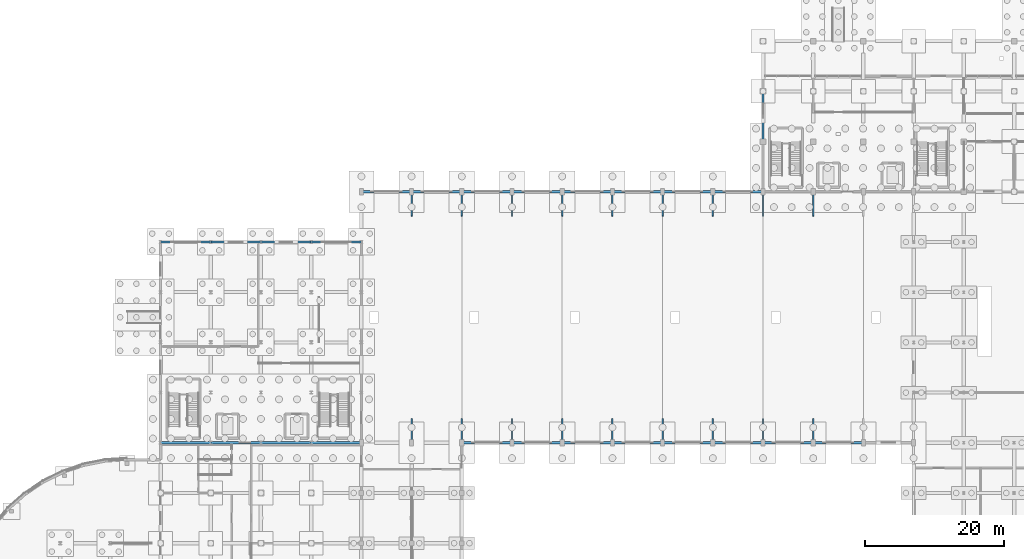
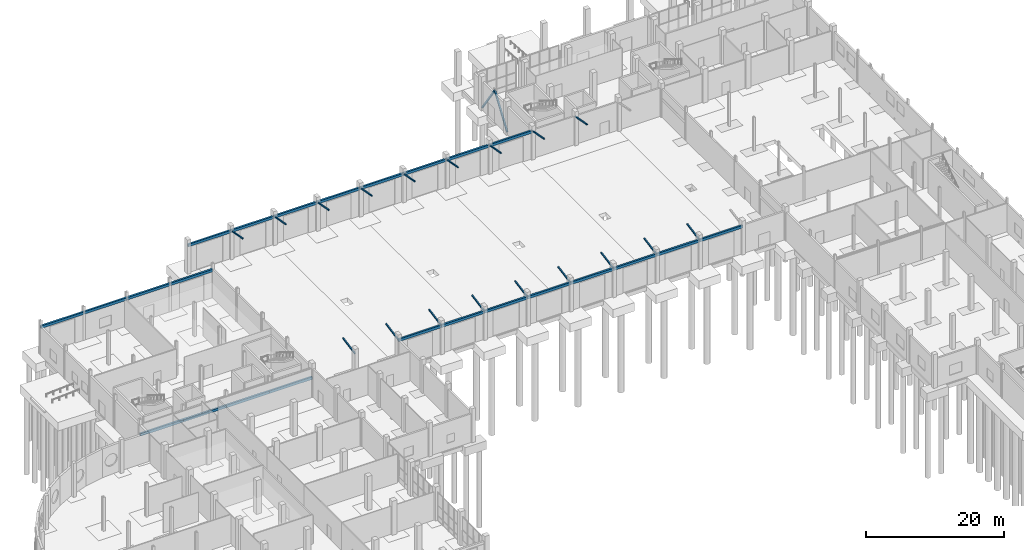
# One storey, part 17 of 45: 24 beams, 20 members.
"""IFC4 building model written with IfcOpenShell, lengths in metres."""

from ifc_helpers import new_model, si_unit, direction, frame, origin, origin_2d, place, context, subcontext, project, spatial, rectangle, hollow_rectangle, extrude, material, material_profile, profile_set, type_object, element, save


model = new_model("IFC4")

# Units and contexts
model_context = context("Model", 3, precision=1e-05, world=origin(), true_north=direction((0.0, 1.0)))
body_context = subcontext(model_context, "Body", "Model", "MODEL_VIEW")
ifc_project = project(units=[si_unit("LENGTHUNIT", "METRE"), si_unit("AREAUNIT", "SQUARE_METRE"), si_unit("VOLUMEUNIT", "CUBIC_METRE"), si_unit("PLANEANGLEUNIT", "RADIAN"), si_unit("MASSUNIT", "GRAM", prefix="KILO")], contexts=[model_context])

# Site, building, storey
site_placement = place(None, origin())
site = spatial("IfcSite", under=ifc_project, at=site_placement, CompositionType="ELEMENT")
building_placement = place(site_placement, origin())
building = spatial("IfcBuilding", under=site, at=building_placement, Name="Yarey Park Central Fire Station", CompositionType="ELEMENT")
storey_placement = place(building_placement, origin())
storey = spatial("IfcBuildingStorey", under=building, at=storey_placement, Name="L01", CompositionType="ELEMENT", Elevation=0.0)

# Members
ifc_material_1 = material(Name="Steel ASTM A500 Gr. C", Category="steel")
ifc_material_profile_1 = material_profile(ifc_material_1, hollow_rectangle(XDim=0.199951171875, YDim=0.199951171875, WallThickness=0.010009765625, at=origin_2d()), Name="HSS 200x200x10")
ifc_profile_set_1 = profile_set([ifc_material_profile_1], Name="Steel ASTM A500 Gr. C")
member_type_1 = type_object("IfcMemberType", Name="STR_CBF_HSS200I", PredefinedType="BRACE", material=ifc_profile_set_1)
for number, where, z_axis, x_axis, name in (
    (1, (64.800048828125, 57.60009765625, 4.89990234375), (0.0, 0.983181348138, 0.18263197057), (-1.0, 0.0, 0.0), "EAVE_STRUT_S_01"),
    (2, (64.800048828125, 93.60009765625, 4.89990234375), (0.0, -0.983181348138, 0.18263197057), (1.0, 0.0, 0.0), "EAVE_STRUT_N_01"),
    (3, (72.0, 57.60009765625, 4.89990234375), (0.0, 0.983181348138, 0.18263197057), (-1.0, 0.0, 0.0), "EAVE_STRUT_S_02"),
    (4, (72.0, 93.60009765625, 4.89990234375), (0.0, -0.983181348138, 0.18263197057), (1.0, 0.0, 0.0), "EAVE_STRUT_N_02"),
    (5, (79.199951171875, 57.60009765625, 4.89990234375), (0.0, 0.983181348138, 0.18263197057), (-1.0, 0.0, 0.0), "EAVE_STRUT_S_03"),
    (6, (79.199951171875, 93.60009765625, 4.89990234375), (0.0, -0.983181348138, 0.18263197057), (1.0, 0.0, 0.0), "EAVE_STRUT_N_03"),
    (7, (86.39990234375, 57.60009765625, 4.89990234375), (0.0, 0.983181348138, 0.18263197057), (-1.0, 0.0, 0.0), "EAVE_STRUT_S_04"),
    (8, (86.39990234375, 93.60009765625, 4.89990234375), (0.0, -0.983181348138, 0.18263197057), (1.0, 0.0, 0.0), "EAVE_STRUT_N_04"),
    (9, (93.60009765625, 57.60009765625, 4.89990234375), (0.0, 0.983181348138, 0.18263197057), (-1.0, 0.0, 0.0), "EAVE_STRUT_S_05"),
    (10, (93.60009765625, 93.60009765625, 4.89990234375), (0.0, -0.983181348138, 0.18263197057), (1.0, 0.0, 0.0), "EAVE_STRUT_N_05"),
    (11, (100.800048828125, 57.60009765625, 4.89990234375), (0.0, 0.983181348138, 0.18263197057), (-1.0, 0.0, 0.0), "EAVE_STRUT_S_06"),
    (12, (100.800048828125, 93.60009765625, 4.89990234375), (0.0, -0.983181348138, 0.18263197057), (1.0, 0.0, 0.0), "EAVE_STRUT_N_06"),
    (13, (108.0, 57.60009765625, 4.89990234375), (0.0, 0.983181348138, 0.18263197057), (-1.0, 0.0, 0.0), "EAVE_STRUT_S_07"),
    (14, (108.0, 93.60009765625, 4.89990234375), (0.0, -0.983181348138, 0.18263197057), (1.0, 0.0, 0.0), "EAVE_STRUT_N_07"),
    (15, (115.199951171875, 57.60009765625, 4.89990234375), (0.0, 0.983181348138, 0.18263197057), (-1.0, 0.0, 0.0), "EAVE_STRUT_S_08"),
    (16, (115.199951171875, 93.60009765625, 4.89990234375), (0.0, -0.983181348138, 0.18263197057), (1.0, 0.0, 0.0), "EAVE_STRUT_N_08"),
    (17, (122.39990234375, 57.60009765625, 4.89990234375), (0.0, 0.983181348138, 0.18263197057), (-1.0, 0.0, 0.0), "EAVE_STRUT_S_09"),
    (18, (122.39990234375, 93.60009765625, 4.89990234375), (0.0, -0.983181348138, 0.18263197057), (1.0, 0.0, 0.0), "EAVE_STRUT_N_09"),
):
    element("IfcMember", number, at=place(storey_placement, frame(where, z_axis=z_axis, x_axis=x_axis)), inside=storey, type_object=member_type_1, Name=name, PredefinedType="BRACE", context=body_context, shape_type="SweptSolid", body=[
        extrude(hollow_rectangle(XDim=0.199951171875, YDim=0.199951171875, WallThickness=0.010009765625, at=origin_2d()), origin(), (0.0, 0.0, 1.0), 3.559814453125),
    ])
ifc_material_profile_2 = material_profile(ifc_material_1, hollow_rectangle(XDim=0.25, YDim=0.25, WallThickness=0.012451171875, at=origin_2d()), Name="HSS 250x250x12.5")
ifc_profile_set_2 = profile_set([ifc_material_profile_2], Name="Steel ASTM A500 Gr. C")
member_type_2 = type_object("IfcMemberType", Name="STR_CBF_HSS250", PredefinedType="BRACE", material=ifc_profile_set_2)
for number, where, z_axis, x_axis, name in (
    (19, (115.199951171875, 100.800048828125, 0.25), (0.0, 0.569197934703, 0.822200529755), (-1.0, 0.0, 0.0), "CBF_V4_W1_L01"),
    (20, (115.199951171875, 108.0, 0.25), (0.0, -0.569224029849, 0.822182463838), (1.0, 0.0, 0.0), "CBF_V4_W2_L01"),
):
    element("IfcMember", number, at=place(storey_placement, frame(where, z_axis=z_axis, x_axis=x_axis)), inside=storey, type_object=member_type_2, Name=name, PredefinedType="BRACE", context=body_context, shape_type="SweptSolid", body=[
        extrude(hollow_rectangle(XDim=0.25, YDim=0.25, WallThickness=0.012451171875, at=origin_2d()), origin(), (0.0, 0.0, 1.0), 6.324462890625),
    ])

# Beams
ifc_material_2 = material(Name="Precast concrete C40/50", Category="concrete")
ifc_material_profile_3 = material_profile(ifc_material_2, rectangle(XDim=0.300048828125, YDim=0.449951171875, at=origin_2d()), Name="PC 300x450")
ifc_profile_set_3 = profile_set([ifc_material_profile_3], Name="Precast concrete C40/50")
beam_type_1 = type_object("IfcBeamType", Name="STR_LIN_PC450", PredefinedType="LINTEL", material=ifc_profile_set_3)
for number, where, z_axis, x_axis, name in (
    (21, (28.800048828125, 86.39990234375, 4.780029296875), (1.0, 0.0, 0.0), (0.0, 1.0, 0.0), "LIN_PLINTH_N1"),
    (22, (36.0, 86.39990234375, 4.780029296875), (1.0, 0.0, 0.0), (0.0, 1.0, 0.0), "LIN_PLINTH_N2"),
    (23, (43.199951171875, 86.39990234375, 4.780029296875), (1.0, 0.0, 0.0), (0.0, 1.0, 0.0), "LIN_PLINTH_N3"),
):
    element("IfcBeam", number, at=place(storey_placement, frame(where, z_axis=z_axis, x_axis=x_axis)), inside=storey, type_object=beam_type_1, Name=name, PredefinedType="LINTEL", context=body_context, shape_type="SweptSolid", body=[
        extrude(rectangle(XDim=0.300048828125, YDim=0.449951171875, at=origin_2d()), origin(), (0.0, 0.0, 1.0), 7.199951171875),
    ])
beam_1_placement = place(storey_placement, frame((50.39990234375, 86.39990234375, 4.780029296875), z_axis=(1.0, 0.0, 0.0), x_axis=(0.0, 1.0, 0.0)))
element("IfcBeam", 24, at=beam_1_placement, inside=storey, type_object=beam_type_1, Name="LIN_PLINTH_N4", PredefinedType="LINTEL", context=body_context, shape_type="SweptSolid", body=[
    extrude(rectangle(XDim=0.300048828125, YDim=0.449951171875, at=origin_2d()), origin(), (0.0, 0.0, 1.0), 7.2001953125),
])
for number, where, z_axis, x_axis, name in (
    (25, (57.60009765625, 93.60009765625, 4.780029296875), (1.0, 0.0, 0.0), (0.0, 1.0, 0.0), "LIN_AP_N_01"),
    (26, (64.800048828125, 93.60009765625, 4.780029296875), (1.0, 0.0, 0.0), (0.0, 1.0, 0.0), "LIN_AP_N_02"),
    (27, (72.0, 93.60009765625, 4.780029296875), (1.0, 0.0, 0.0), (0.0, 1.0, 0.0), "LIN_AP_N_03"),
    (28, (79.199951171875, 93.60009765625, 4.780029296875), (1.0, 0.0, 0.0), (0.0, 1.0, 0.0), "LIN_AP_N_04"),
):
    element("IfcBeam", number, at=place(storey_placement, frame(where, z_axis=z_axis, x_axis=x_axis)), inside=storey, type_object=beam_type_1, Name=name, PredefinedType="LINTEL", context=body_context, shape_type="SweptSolid", body=[
        extrude(rectangle(XDim=0.300048828125, YDim=0.449951171875, at=origin_2d()), origin(), (0.0, 0.0, 1.0), 7.199951171875),
    ])
beam_2_placement = place(storey_placement, frame((86.39990234375, 93.60009765625, 4.780029296875), z_axis=(1.0, 0.0, 0.0), x_axis=(0.0, 1.0, 0.0)))
element("IfcBeam", 29, at=beam_2_placement, inside=storey, type_object=beam_type_1, Name="LIN_AP_N_05", PredefinedType="LINTEL", context=body_context, shape_type="SweptSolid", body=[
    extrude(rectangle(XDim=0.300048828125, YDim=0.449951171875, at=origin_2d()), origin(), (0.0, 0.0, 1.0), 7.2001953125),
])
for number, where, z_axis, x_axis, name in (
    (30, (93.60009765625, 93.60009765625, 4.780029296875), (1.0, 0.0, 0.0), (0.0, 1.0, 0.0), "LIN_AP_N_06"),
    (31, (100.800048828125, 93.60009765625, 4.780029296875), (1.0, 0.0, 0.0), (0.0, 1.0, 0.0), "LIN_AP_N_07"),
    (32, (108.0, 93.60009765625, 4.780029296875), (1.0, 0.0, 0.0), (0.0, 1.0, 0.0), "LIN_AP_N_08"),
    (33, (72.0, 57.60009765625, 4.780029296875), (1.0, 0.0, 0.0), (0.0, 1.0, 0.0), "LIN_AP_S_03"),
    (34, (79.199951171875, 57.60009765625, 4.780029296875), (1.0, 0.0, 0.0), (0.0, 1.0, 0.0), "LIN_AP_S_04"),
):
    element("IfcBeam", number, at=place(storey_placement, frame(where, z_axis=z_axis, x_axis=x_axis)), inside=storey, type_object=beam_type_1, Name=name, PredefinedType="LINTEL", context=body_context, shape_type="SweptSolid", body=[
        extrude(rectangle(XDim=0.300048828125, YDim=0.449951171875, at=origin_2d()), origin(), (0.0, 0.0, 1.0), 7.199951171875),
    ])
beam_3_placement = place(storey_placement, frame((86.39990234375, 57.60009765625, 4.780029296875), z_axis=(1.0, 0.0, 0.0), x_axis=(0.0, 1.0, 0.0)))
element("IfcBeam", 35, at=beam_3_placement, inside=storey, type_object=beam_type_1, Name="LIN_AP_S_05", PredefinedType="LINTEL", context=body_context, shape_type="SweptSolid", body=[
    extrude(rectangle(XDim=0.300048828125, YDim=0.449951171875, at=origin_2d()), origin(), (0.0, 0.0, 1.0), 7.2001953125),
])
for number, where, z_axis, x_axis, name in (
    (36, (93.60009765625, 57.60009765625, 4.780029296875), (1.0, 0.0, 0.0), (0.0, 1.0, 0.0), "LIN_AP_S_06"),
    (37, (100.800048828125, 57.60009765625, 4.780029296875), (1.0, 0.0, 0.0), (0.0, 1.0, 0.0), "LIN_AP_S_07"),
    (38, (108.0, 57.60009765625, 4.780029296875), (1.0, 0.0, 0.0), (0.0, 1.0, 0.0), "LIN_AP_S_08"),
    (39, (115.199951171875, 57.60009765625, 4.780029296875), (1.0, 0.0, 0.0), (0.0, 1.0, 0.0), "LIN_AP_S_09"),
):
    element("IfcBeam", number, at=place(storey_placement, frame(where, z_axis=z_axis, x_axis=x_axis)), inside=storey, type_object=beam_type_1, Name=name, PredefinedType="LINTEL", context=body_context, shape_type="SweptSolid", body=[
        extrude(rectangle(XDim=0.300048828125, YDim=0.449951171875, at=origin_2d()), origin(), (0.0, 0.0, 1.0), 7.199951171875),
    ])
beam_4_placement = place(storey_placement, frame((122.39990234375, 57.60009765625, 4.780029296875), z_axis=(1.0, 0.0, 0.0), x_axis=(0.0, 1.0, 0.0)))
element("IfcBeam", 40, at=beam_4_placement, inside=storey, type_object=beam_type_1, Name="LIN_AP_S_10", PredefinedType="LINTEL", context=body_context, shape_type="SweptSolid", body=[
    extrude(rectangle(XDim=0.300048828125, YDim=0.449951171875, at=origin_2d()), origin(), (0.0, 0.0, 1.0), 7.2001953125),
])
ifc_material_profile_4 = material_profile(ifc_material_2, rectangle(XDim=0.300048828125, YDim=0.449951171875, at=origin_2d()), Name="PC 300x450")
ifc_profile_set_4 = profile_set([ifc_material_profile_4], Name="Precast concrete C40/50")
beam_type_2 = type_object("IfcBeamType", Name="STR_LIN_PC450I", PredefinedType="LINTEL", material=ifc_profile_set_4)
for number, where, z_axis, x_axis, name in (
    (41, (28.800048828125, 57.60009765625, 3.199951171875), (1.0, 0.0, 0.0), (0.0, 1.0, 0.0), "LIN_INT_S_1"),
    (42, (36.0, 57.60009765625, 3.199951171875), (1.0, 0.0, 0.0), (0.0, 1.0, 0.0), "LIN_INT_S_2"),
    (43, (43.199951171875, 57.60009765625, 3.199951171875), (1.0, 0.0, 0.0), (0.0, 1.0, 0.0), "LIN_INT_S_3"),
):
    element("IfcBeam", number, at=place(storey_placement, frame(where, z_axis=z_axis, x_axis=x_axis)), inside=storey, type_object=beam_type_2, Name=name, PredefinedType="LINTEL", context=body_context, shape_type="SweptSolid", body=[
        extrude(rectangle(XDim=0.300048828125, YDim=0.449951171875, at=origin_2d()), origin(), (0.0, 0.0, 1.0), 7.199951171875),
    ])
beam_5_placement = place(storey_placement, frame((50.39990234375, 57.60009765625, 3.199951171875), z_axis=(1.0, 0.0, 0.0), x_axis=(0.0, 1.0, 0.0)))
element("IfcBeam", 44, at=beam_5_placement, inside=storey, type_object=beam_type_2, Name="LIN_INT_S_4", PredefinedType="LINTEL", context=body_context, shape_type="SweptSolid", body=[
    extrude(rectangle(XDim=0.300048828125, YDim=0.449951171875, at=origin_2d()), origin(), (0.0, 0.0, 1.0), 7.2001953125),
])

save(model, "model.ifc")
